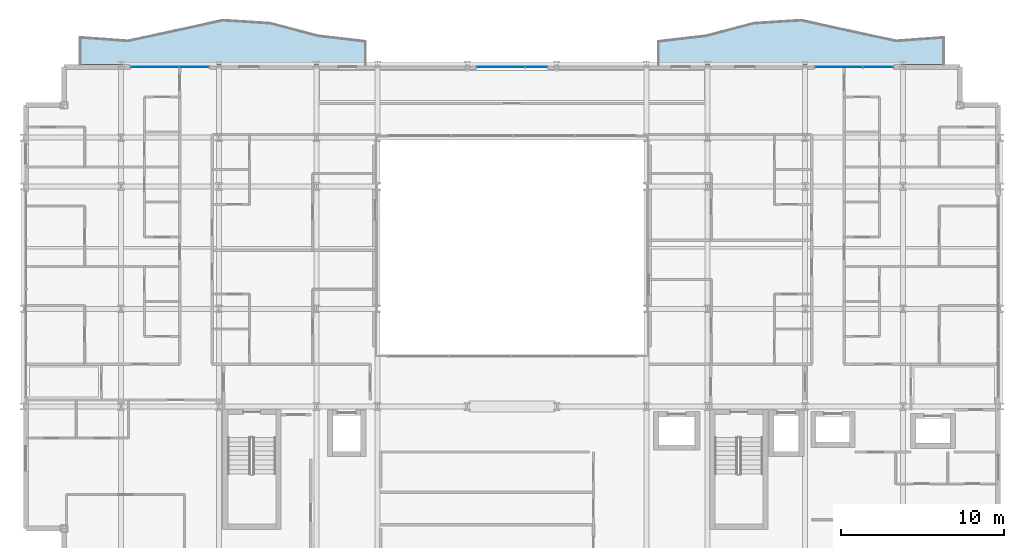
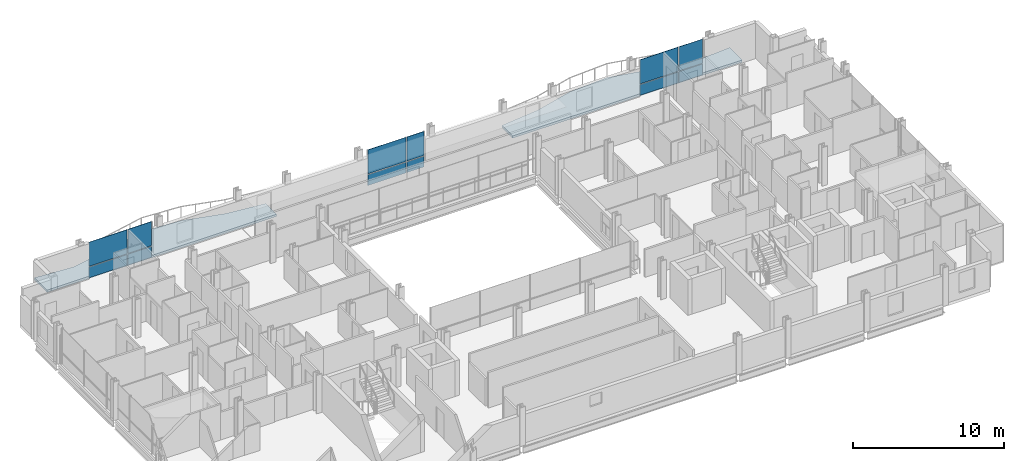
# One storey, part 29 of 40: 12 plates, 2 slabs, 3 elements without a shape of their own.
"""IFC4 building model written with IfcOpenShell, lengths in metres."""

from ifc_helpers import new_model, si_unit, direction, frame, origin, origin_2d, place, context, subcontext, project, spatial, polyline, rectangle, outline, extrude, material, layer, layer_set, type_object, element, aggregate, save


model = new_model("IFC4")

# Units and contexts
model_context = context("Model", 3, precision=1e-05, world=origin(), true_north=direction((0.0, 1.0)))
body_context = subcontext(model_context, "Body", "Model", "MODEL_VIEW")
ifc_project = project(units=[si_unit("LENGTHUNIT", "METRE"), si_unit("AREAUNIT", "SQUARE_METRE"), si_unit("VOLUMEUNIT", "CUBIC_METRE"), si_unit("PLANEANGLEUNIT", "RADIAN"), si_unit("MASSUNIT", "GRAM", prefix="KILO")], contexts=[model_context])

# Site, building, storey
site_placement = place(None, origin())
site = spatial("IfcSite", under=ifc_project, at=site_placement, CompositionType="ELEMENT")
building_placement = place(site_placement, origin())
building = spatial("IfcBuilding", under=site, at=building_placement, Name="Brevholm Reach", CompositionType="ELEMENT")
storey_placement = place(building_placement, frame((0.0, 0.0, 37.300048828125)))
storey = spatial("IfcBuildingStorey", under=building, at=storey_placement, Name="L09", CompositionType="ELEMENT", Elevation=37.300048828125)

# Curtain wall, plates
ifc_material_1 = material(Name="Dark Anodised Aluminium 6063-T6 and Solar-Control Glass", Category="aluminium")
ifc_layer_1 = layer(ifc_material_1, 0.14990234375)
ifc_layer_set_1 = layer_set([ifc_layer_1], Name="Dark Anodised Aluminium 6063-T6 and Solar-Control Glass")
curtain_wall_type = type_object("IfcCurtainWallType", Name="CW-01", PredefinedType="NOTDEFINED", material=ifc_layer_set_1)
curtain_wall_1_placement = place(storey_placement, origin())
curtain_wall_1 = element("IfcCurtainWall", 1, at=curtain_wall_1_placement, inside=storey, type_object=curtain_wall_type, Name="L09 Curtain Wall CW-01", PredefinedType="NOTDEFINED")
ifc_material_2 = material(Name="Dark Solar-Control Double-Glazed IGU Glass", Category="glass")
ifc_layer_2 = layer(ifc_material_2, 0.028076171875)
ifc_layer_set_2 = layer_set([ifc_layer_2], Name="Dark Solar-Control Double-Glazed IGU Glass")
plate_type = type_object("IfcPlateType", Name="CWP-GLZ-28", PredefinedType="CURTAIN_PANEL", material=ifc_layer_set_2)
plate_1_placement = place(storey_placement, frame((8.066162109375, 30.85009765625, 0.0), z_axis=(0.0, 0.0, 1.0), x_axis=(1.0, 0.0, 0.0)))
plate_1 = element("IfcPlate", 2, at=plate_1_placement, type_object=plate_type, Name="CP-01 Glazing Panel 1.1", PredefinedType="CURTAIN_PANEL", context=body_context, shape_type="SweptSolid", body=[
    extrude(rectangle(XDim=2.902587890625, YDim=0.028076171875, at=origin_2d()), origin(), (0.0, 0.0, 1.0), 0.867431640625),
])
plate_2_placement = place(storey_placement, frame((8.066162109375, 30.85009765625, 0.932373046875), z_axis=(0.0, 0.0, 1.0), x_axis=(1.0, 0.0, 0.0)))
plate_2 = element("IfcPlate", 3, at=plate_2_placement, type_object=plate_type, Name="CP-01 Glazing Panel 1.2", PredefinedType="CURTAIN_PANEL", context=body_context, shape_type="SweptSolid", body=[
    extrude(rectangle(XDim=2.902587890625, YDim=0.028076171875, at=origin_2d()), origin(), (0.0, 0.0, 1.0), 1.9375),
])
plate_3_placement = place(storey_placement, frame((10.483642578125, 30.85009765625, 0.0), z_axis=(0.0, 0.0, 1.0), x_axis=(1.0, 0.0, 0.0)))
plate_3 = element("IfcPlate", 4, at=plate_3_placement, type_object=plate_type, Name="CP-01 Glazing Panel 2.1", PredefinedType="CURTAIN_PANEL", context=body_context, shape_type="SweptSolid", body=[
    extrude(rectangle(XDim=1.802490234375, YDim=0.028076171875, at=origin_2d()), origin(), (0.0, 0.0, 1.0), 0.867431640625),
])
plate_4_placement = place(storey_placement, frame((10.483642578125, 30.85009765625, 0.932373046875), z_axis=(0.0, 0.0, 1.0), x_axis=(1.0, 0.0, 0.0)))
plate_4 = element("IfcPlate", 5, at=plate_4_placement, type_object=plate_type, Name="CP-01 Glazing Panel 2.2", PredefinedType="CURTAIN_PANEL", context=body_context, shape_type="SweptSolid", body=[
    extrude(rectangle(XDim=1.802490234375, YDim=0.028076171875, at=origin_2d()), origin(), (0.0, 0.0, 1.0), 1.9375),
])
aggregate(curtain_wall_1, [plate_1, plate_2, plate_3, plate_4])

curtain_wall_2_placement = place(storey_placement, origin())
curtain_wall_2 = element("IfcCurtainWall", 6, at=curtain_wall_2_placement, inside=storey, type_object=curtain_wall_type, Name="L09 Curtain Wall CW-01", PredefinedType="NOTDEFINED")
plate_5_placement = place(storey_placement, frame((29.316162109375, 30.85009765625, 0.0), z_axis=(0.0, 0.0, 1.0), x_axis=(1.0, 0.0, 0.0)))
plate_5 = element("IfcPlate", 7, at=plate_5_placement, type_object=plate_type, Name="CP-01 Glazing Panel 1.1", PredefinedType="CURTAIN_PANEL", context=body_context, shape_type="SweptSolid", body=[
    extrude(rectangle(XDim=2.902587890625, YDim=0.028076171875, at=origin_2d()), origin(), (0.0, 0.0, 1.0), 0.867431640625),
])
plate_6_placement = place(storey_placement, frame((29.316162109375, 30.85009765625, 0.932373046875), z_axis=(0.0, 0.0, 1.0), x_axis=(1.0, 0.0, 0.0)))
plate_6 = element("IfcPlate", 8, at=plate_6_placement, type_object=plate_type, Name="CP-01 Glazing Panel 1.2", PredefinedType="CURTAIN_PANEL", context=body_context, shape_type="SweptSolid", body=[
    extrude(rectangle(XDim=2.902587890625, YDim=0.028076171875, at=origin_2d()), origin(), (0.0, 0.0, 1.0), 1.9375),
])
plate_7_placement = place(storey_placement, frame((31.483642578125, 30.85009765625, 0.0), z_axis=(0.0, 0.0, 1.0), x_axis=(1.0, 0.0, 0.0)))
plate_7 = element("IfcPlate", 9, at=plate_7_placement, type_object=plate_type, Name="CP-01 Glazing Panel 2.1", PredefinedType="CURTAIN_PANEL", context=body_context, shape_type="SweptSolid", body=[
    extrude(rectangle(XDim=1.302490234375, YDim=0.028076171875, at=origin_2d()), origin(), (0.0, 0.0, 1.0), 0.867431640625),
])
plate_8_placement = place(storey_placement, frame((31.483642578125, 30.85009765625, 0.932373046875), z_axis=(0.0, 0.0, 1.0), x_axis=(1.0, 0.0, 0.0)))
plate_8 = element("IfcPlate", 10, at=plate_8_placement, type_object=plate_type, Name="CP-01 Glazing Panel 2.2", PredefinedType="CURTAIN_PANEL", context=body_context, shape_type="SweptSolid", body=[
    extrude(rectangle(XDim=1.302490234375, YDim=0.028076171875, at=origin_2d()), origin(), (0.0, 0.0, 1.0), 1.9375),
])
aggregate(curtain_wall_2, [plate_5, plate_6, plate_7, plate_8])

curtain_wall_3_placement = place(storey_placement, origin())
curtain_wall_3 = element("IfcCurtainWall", 11, at=curtain_wall_3_placement, inside=storey, type_object=curtain_wall_type, Name="L09 Curtain Wall CW-01", PredefinedType="NOTDEFINED")
plate_9_placement = place(storey_placement, frame((50.066162109375, 30.85009765625, 0.0), z_axis=(0.0, 0.0, 1.0), x_axis=(1.0, 0.0, 0.0)))
plate_9 = element("IfcPlate", 12, at=plate_9_placement, type_object=plate_type, Name="CP-01 Glazing Panel 1.1", PredefinedType="CURTAIN_PANEL", context=body_context, shape_type="SweptSolid", body=[
    extrude(rectangle(XDim=2.902587890625, YDim=0.028076171875, at=origin_2d()), origin(), (0.0, 0.0, 1.0), 0.867431640625),
])
plate_10_placement = place(storey_placement, frame((50.066162109375, 30.85009765625, 0.932373046875), z_axis=(0.0, 0.0, 1.0), x_axis=(1.0, 0.0, 0.0)))
plate_10 = element("IfcPlate", 13, at=plate_10_placement, type_object=plate_type, Name="CP-01 Glazing Panel 1.2", PredefinedType="CURTAIN_PANEL", context=body_context, shape_type="SweptSolid", body=[
    extrude(rectangle(XDim=2.902587890625, YDim=0.028076171875, at=origin_2d()), origin(), (0.0, 0.0, 1.0), 1.9375),
])
plate_11_placement = place(storey_placement, frame((52.483642578125, 30.85009765625, 0.0), z_axis=(0.0, 0.0, 1.0), x_axis=(1.0, 0.0, 0.0)))
plate_11 = element("IfcPlate", 14, at=plate_11_placement, type_object=plate_type, Name="CP-01 Glazing Panel 2.1", PredefinedType="CURTAIN_PANEL", context=body_context, shape_type="SweptSolid", body=[
    extrude(rectangle(XDim=1.802490234375, YDim=0.028076171875, at=origin_2d()), origin(), (0.0, 0.0, 1.0), 0.867431640625),
])
plate_12_placement = place(storey_placement, frame((52.483642578125, 30.85009765625, 0.932373046875), z_axis=(0.0, 0.0, 1.0), x_axis=(1.0, 0.0, 0.0)))
plate_12 = element("IfcPlate", 15, at=plate_12_placement, type_object=plate_type, Name="CP-01 Glazing Panel 2.2", PredefinedType="CURTAIN_PANEL", context=body_context, shape_type="SweptSolid", body=[
    extrude(rectangle(XDim=1.802490234375, YDim=0.028076171875, at=origin_2d()), origin(), (0.0, 0.0, 1.0), 1.9375),
])
aggregate(curtain_wall_3, [plate_9, plate_10, plate_11, plate_12])

# Slabs
ifc_material_3 = material(Name="Precast Concrete C40/50", Category="concrete")
ifc_layer_3 = layer(ifc_material_3, 0.179931640625)
ifc_layer_set_3 = layer_set([ifc_layer_3], Name="Precast Concrete C40/50")
slab_type = type_object("IfcSlabType", Name="SLB-BAL-180", PredefinedType="FLOOR", material=ifc_layer_set_3)
slab_1_placement = place(storey_placement, frame((0.0, 0.0, -0.179931640625)))
element("IfcSlab", 16, at=slab_1_placement, inside=storey, type_object=slab_type, Name="L09 Rippling External Balcony NE", PredefinedType="FLOOR", context=body_context, shape_type="SweptSolid", body=[
    extrude(outline(polyline([(39.0, 31.0), (56.5, 31.0), (56.5, 32.650146484375), (53.583251953125, 32.436767578125), (50.666748046875, 33.063232421875), (47.75, 33.705078125), (44.833251953125, 33.517822265625), (41.916748046875, 32.747802734375), (39.0, 32.408203125), (39.0, 31.0)])), origin(), (0.0, 0.0, 1.0), 0.179931640625),
])
slab_2_placement = place(storey_placement, frame((0.0, 0.0, -0.179931640625)))
element("IfcSlab", 17, at=slab_2_placement, inside=storey, type_object=slab_type, Name="L09 Rippling External Balcony NW", PredefinedType="FLOOR", context=body_context, shape_type="SweptSolid", body=[
    extrude(outline(polyline([(3.5, 31.0), (21.0, 31.0), (21.0, 32.408203125), (18.083251953125, 32.747802734375), (15.166748046875, 33.517822265625), (12.25, 33.705078125), (9.333251953125, 33.063232421875), (6.416748046875, 32.436767578125), (3.5, 32.650146484375), (3.5, 31.0)])), origin(), (0.0, 0.0, 1.0), 0.179931640625),
])

save(model, "model.ifc")
